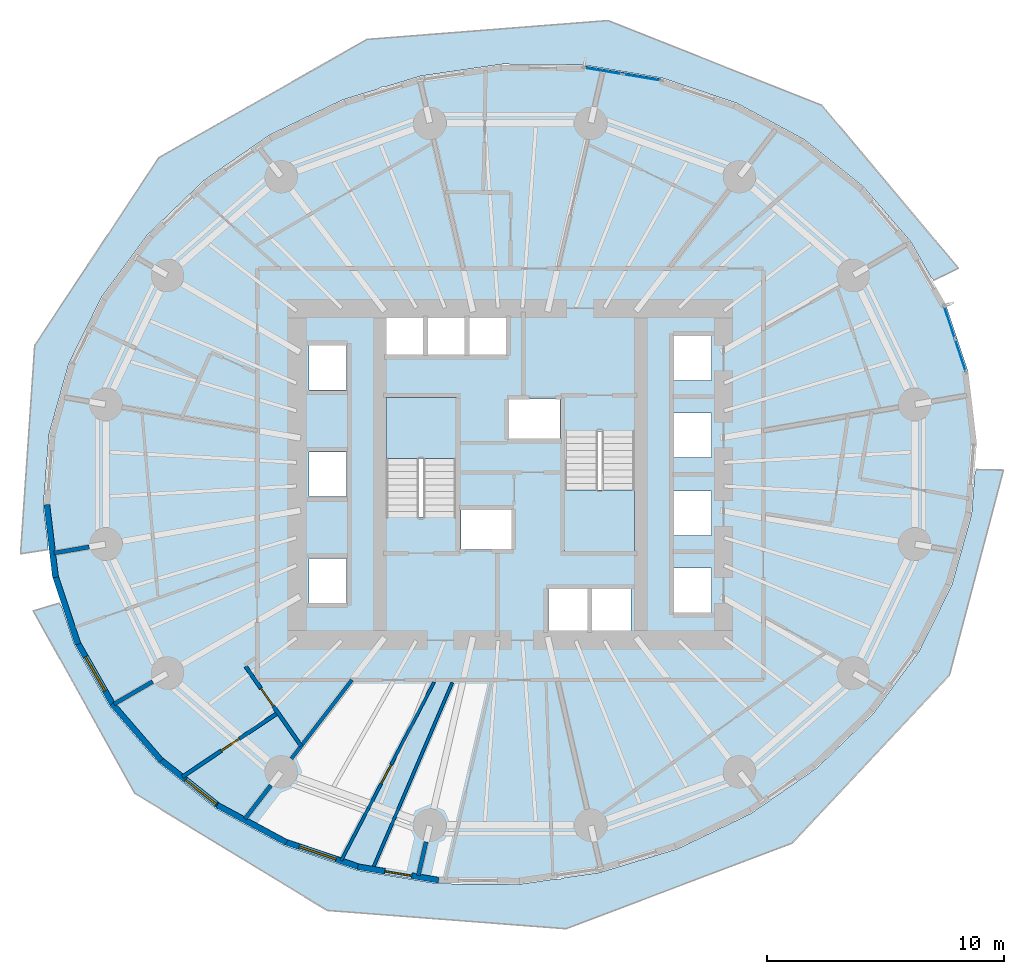
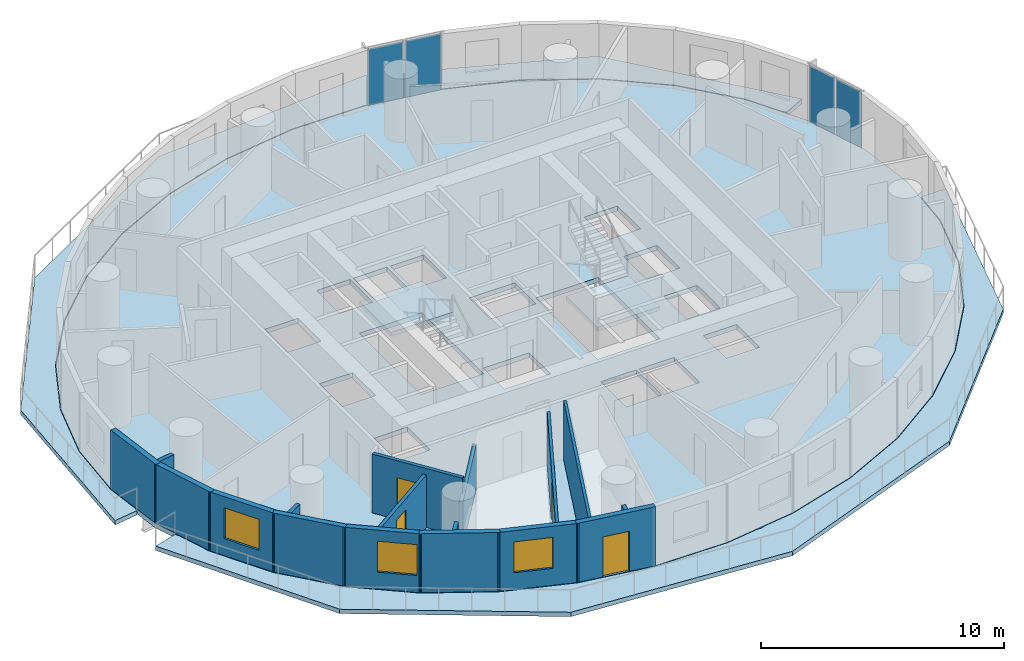
# One storey, part 4 of 13: 17 walls, 5 slabs, 4 doors, 4 plates, 3 windows, 7 openings, 4 elements without a shape of their own.
"""IFC4 building model written with IfcOpenShell, lengths in metres."""

from ifc_helpers import new_model, si_unit, direction, frame, frame_2d, origin, origin_2d, place, context, subcontext, project, spatial, polyline, rectangle, outline, extrude, material, layer, layer_set, type_object, element, fill, aggregate, save


model = new_model("IFC4")

# Units and contexts
model_context = context("Model", 3, precision=1e-05, world=origin(), true_north=direction((0.0, 1.0)))
body_context = subcontext(model_context, "Body", "Model", "MODEL_VIEW")
ifc_project = project(units=[si_unit("LENGTHUNIT", "METRE"), si_unit("AREAUNIT", "SQUARE_METRE"), si_unit("VOLUMEUNIT", "CUBIC_METRE"), si_unit("PLANEANGLEUNIT", "RADIAN"), si_unit("MASSUNIT", "GRAM", prefix="KILO")], contexts=[model_context])

# Site, building, storey
site_placement = place(None, origin())
site = spatial("IfcSite", under=ifc_project, at=site_placement, CompositionType="ELEMENT")
building_placement = place(site_placement, origin())
building = spatial("IfcBuilding", under=site, at=building_placement, Name="Veldorim Arch Residences", CompositionType="ELEMENT")
storey_placement = place(building_placement, frame((0.0, 0.0, 56.800048828125)))
storey = spatial("IfcBuildingStorey", under=building, at=storey_placement, Name="L16", CompositionType="ELEMENT", Elevation=56.800048828125)

# Slabs
ifc_material_1 = material(Name="Concrete C40/50", Category="concrete")
ifc_layer_1 = layer(ifc_material_1, 0.219970703125, Name="Planted Crescent Cantilever Balcony Slab 220")
ifc_layer_set_1 = layer_set([ifc_layer_1], Name="Concrete C40/50")
slab_type_1 = type_object("IfcSlabType", Name="Planted Crescent Cantilever Balcony Slab 220", PredefinedType="FLOOR", material=ifc_layer_set_1)
slab_1_placement = place(storey_placement, frame((0.0, 0.0, -0.219970703125)))
element("IfcSlab", 1, at=slab_1_placement, inside=storey, type_object=slab_type_1, Name="L16 planted crescent balcony slab A", PredefinedType="FLOOR", context=body_context, shape_type="SweptSolid", body=[
    extrude(outline(polyline([(49.7431640625, 32.329833984375), (48.89501953125, 33.814208984375), (46.875732421875, 36.151611328125), (44.404296875, 38.119384765625), (41.556396484375, 39.657958984375), (38.418212890625, 40.720703125), (35.085205078125, 41.275634765625), (31.65869140625, 41.305908203125), (28.242431640625, 40.810302734375), (26.789794921875, 40.36767578125), (26.593017578125, 40.349853515625), (26.42041015625, 40.2548828125), (24.9404296875, 39.80419921875), (21.852783203125, 38.31787109375), (19.072998046875, 36.396728515625), (16.686279296875, 34.098876953125), (14.764404296875, 31.494140625), (13.3662109375, 28.661376953125), (12.5341796875, 25.686767578125), (12.293701171875, 22.66064453125), (12.4921875, 21.0087890625), (12.46826171875, 20.820068359375), (11.33154296875, 20.645263671875), (11.930908203125, 29.437744140625), (17.17138671875, 37.364013671875), (25.95947265625, 42.35205078125), (36.12548828125, 43.146728515625), (45.149169921875, 39.56640625), (50.9052734375, 32.700927734375), (49.875, 32.190185546875), (49.7431640625, 32.329833984375)])), origin(), (0.0, 0.0, 1.0), 0.219970703125),
])
slab_2_placement = place(storey_placement, frame((0.0, 0.0, -0.219970703125)))
element("IfcSlab", 2, at=slab_2_placement, inside=storey, type_object=slab_type_1, Name="L16 planted crescent balcony slab B", PredefinedType="FLOOR", context=body_context, shape_type="SweptSolid", body=[
    extrude(outline(polyline([(13.0751953125, 18.400390625), (13.59912109375, 16.8212890625), (15.10498046875, 14.185791015625), (17.124267578125, 11.848388671875), (19.595703125, 9.880615234375), (22.443603515625, 8.342041015625), (25.581787109375, 7.279296875), (28.914794921875, 6.724365234375), (32.34130859375, 6.694091796875), (33.872314453125, 6.916259765625), (34.06884765625, 6.90380859375), (34.254638671875, 6.9716796875), (35.757568359375, 7.189697265625), (39.0595703125, 8.19580078125), (42.147216796875, 9.68212890625), (44.927001953125, 11.603271484375), (47.313720703125, 13.901123046875), (49.235595703125, 16.505859375), (50.6337890625, 19.338623046875), (51.4658203125, 22.313232421875), (51.601318359375, 24.017578125), (51.660888671875, 24.199951171875), (52.810791015625, 24.176513671875), (50.525390625, 15.513671875), (43.88525390625, 8.43212890625), (34.348388671875, 4.822509765625), (24.272705078125, 5.59423828125), (16.15625, 10.53466796875), (11.8701171875, 18.2353515625), (12.97314453125, 18.56103515625), (13.0751953125, 18.400390625)])), origin(), (0.0, 0.0, 1.0), 0.219970703125),
])

# Stair, slab
ifc_material_2 = material(Name="Concrete C40/50", Category="concrete")
stair_type = type_object("IfcStairType", Name="Reinforced Concrete Dogleg Exit Staircase", PredefinedType="HALF_TURN_STAIR", material=ifc_material_2)
stair_1_placement = place(storey_placement, origin())
stair_1 = element("IfcStair", 3, at=stair_1_placement, inside=storey, type_object=stair_type, Name="L16 Exit Staircase ST-1", PredefinedType="HALF_TURN_STAIR")
ifc_material_3 = material(Name="Concrete C40/50", Category="concrete")
ifc_layer_2 = layer(ifc_material_3, 0.199951171875, Name="Reinforced Concrete Stair Landing 200")
ifc_layer_set_2 = layer_set([ifc_layer_2], Name="Concrete C40/50")
slab_type_2 = type_object("IfcSlabType", Name="Reinforced Concrete Stair Landing 200", PredefinedType="LANDING", material=ifc_layer_set_2)
slab_3_placement = place(storey_placement, frame((0.0, 0.0, 1.39990234375)))
slab_3 = element("IfcSlab", 4, at=slab_3_placement, type_object=slab_type_2, Name="ST-1 landing 1", PredefinedType="LANDING", context=body_context, shape_type="SweptSolid", body=[
    extrude(outline(polyline([(29.7099609375, 24.669921875), (29.7099609375, 27.25), (26.75, 27.25), (26.75, 24.669921875), (29.7099609375, 24.669921875)])), origin(), (0.0, 0.0, 1.0), 0.199951171875),
])
aggregate(stair_1, [slab_3])

stair_2_placement = place(storey_placement, origin())
stair_2 = element("IfcStair", 5, at=stair_2_placement, inside=storey, type_object=stair_type, Name="L16 Exit Staircase ST-2", PredefinedType="HALF_TURN_STAIR")
slab_4_placement = place(storey_placement, frame((0.0, 0.0, 1.39990234375)))
slab_4 = element("IfcSlab", 6, at=slab_4_placement, type_object=slab_type_2, Name="ST-2 landing 1", PredefinedType="LANDING", context=body_context, shape_type="SweptSolid", body=[
    extrude(outline(polyline([(34.2900390625, 23.330078125), (34.2900390625, 20.75), (37.25, 20.75), (37.25, 23.330078125), (34.2900390625, 23.330078125)])), origin(), (0.0, 0.0, 1.0), 0.199951171875),
])
aggregate(stair_2, [slab_4])

# Slab
ifc_material_4 = material(Name="Concrete C40/50", Category="concrete")
ifc_layer_3 = layer(ifc_material_4, 0.239990234375, Name="Typical Residential Floor Slab 240")
ifc_layer_set_3 = layer_set([ifc_layer_3], Name="Concrete C40/50")
slab_type_3 = type_object("IfcSlabType", Name="Typical Residential Floor Slab 240", PredefinedType="FLOOR", material=ifc_layer_set_3)
slab_5_placement = place(storey_placement, frame((0.0, 0.0, -0.239990234375)))
element("IfcSlab", 7, at=slab_5_placement, inside=storey, type_object=slab_type_3, Name="L16 tower structural floor slab", PredefinedType="FLOOR", context=body_context, shape_type="SweptSolid", body=[
    extrude(outline(polyline([(51.3232421875, 28.319091796875), (50.378173828125, 31.16845703125), (48.87451171875, 33.7998046875), (46.8583984375, 36.133544921875), (44.390625, 38.098388671875), (41.54638671875, 39.635009765625), (38.412109375, 40.696533203125), (35.0830078125, 41.250732421875), (31.660400390625, 41.28076171875), (28.247802734375, 40.785888671875), (24.949462890625, 39.78076171875), (21.865234375, 38.296142578125), (19.089111328125, 36.377197265625), (16.705078125, 34.082275390625), (14.785888671875, 31.48095703125), (13.3896484375, 28.65234375), (12.558837890625, 25.682373046875), (12.31884765625, 22.6611328125), (12.6767578125, 19.680908203125), (13.621826171875, 16.83154296875), (15.12548828125, 14.2001953125), (17.1416015625, 11.866455078125), (19.609375, 9.901611328125), (22.45361328125, 8.364990234375), (25.587890625, 7.303466796875), (28.9169921875, 6.749267578125), (32.339599609375, 6.71923828125), (35.752197265625, 7.214111328125), (39.050537109375, 8.21923828125), (42.134765625, 9.703857421875), (44.910888671875, 11.622802734375), (47.294921875, 13.917724609375), (49.214111328125, 16.51904296875), (50.6103515625, 19.34765625), (51.441162109375, 22.317626953125), (51.68115234375, 25.3388671875), (51.3232421875, 28.319091796875)]), holes=[polyline([(23.510009765625, 20.43994140625), (25.090087890625, 20.43994140625), (25.090087890625, 18.56005859375), (23.510009765625, 18.56005859375), (23.510009765625, 20.43994140625)]), polyline([(29.909912109375, 22.544921875), (32.090087890625, 22.544921875), (32.090087890625, 20.81494140625), (29.909912109375, 20.81494140625), (29.909912109375, 22.544921875)]), polyline([(23.510009765625, 24.93994140625), (25.090087890625, 24.93994140625), (25.090087890625, 23.06005859375), (23.510009765625, 23.06005859375), (23.510009765625, 24.93994140625)]), polyline([(26.75, 27.25), (29.7099609375, 27.25), (29.7099609375, 22.195068359375), (26.75, 22.195068359375), (26.75, 27.25)]), polyline([(23.510009765625, 29.43994140625), (25.090087890625, 29.43994140625), (25.090087890625, 27.56005859375), (23.510009765625, 27.56005859375), (23.510009765625, 29.43994140625)]), polyline([(26.760009765625, 30.7900390625), (28.340087890625, 30.7900390625), (28.340087890625, 28.909912109375), (26.760009765625, 28.909912109375), (26.760009765625, 30.7900390625)]), polyline([(28.510009765625, 30.7900390625), (30.090087890625, 30.7900390625), (30.090087890625, 28.909912109375), (28.510009765625, 28.909912109375), (28.510009765625, 30.7900390625)]), polyline([(30.260009765625, 30.7900390625), (31.840087890625, 30.7900390625), (31.840087890625, 28.909912109375), (30.260009765625, 28.909912109375), (30.260009765625, 30.7900390625)]), polyline([(33.610107421875, 19.2900390625), (35.2900390625, 19.2900390625), (35.2900390625, 17.2099609375), (33.610107421875, 17.2099609375), (33.610107421875, 19.2900390625)]), polyline([(35.409912109375, 19.2900390625), (37.090087890625, 19.2900390625), (37.090087890625, 17.2099609375), (35.409912109375, 17.2099609375), (35.409912109375, 19.2900390625)]), polyline([(38.909912109375, 20.0400390625), (40.489990234375, 20.0400390625), (40.489990234375, 18.159912109375), (38.909912109375, 18.159912109375), (38.909912109375, 20.0400390625)]), polyline([(38.909912109375, 23.2900390625), (40.489990234375, 23.2900390625), (40.489990234375, 21.409912109375), (38.909912109375, 21.409912109375), (38.909912109375, 23.2900390625)]), polyline([(34.2900390625, 25.804931640625), (37.25, 25.804931640625), (37.25, 20.75), (34.2900390625, 20.75), (34.2900390625, 25.804931640625)]), polyline([(38.909912109375, 26.590087890625), (40.489990234375, 26.590087890625), (40.489990234375, 24.7099609375), (38.909912109375, 24.7099609375), (38.909912109375, 26.590087890625)]), polyline([(31.909912109375, 27.18505859375), (34.090087890625, 27.18505859375), (34.090087890625, 25.455078125), (31.909912109375, 25.455078125), (31.909912109375, 27.18505859375)]), polyline([(38.909912109375, 29.840087890625), (40.489990234375, 29.840087890625), (40.489990234375, 27.9599609375), (38.909912109375, 27.9599609375), (38.909912109375, 29.840087890625)])]), origin(), (0.0, 0.0, 1.0), 0.239990234375),
])

# Curtain wall, plates
ifc_material_5 = material(Name="Aluminium", Category="aluminium")
curtain_wall_type = type_object("IfcCurtainWallType", Name="Zone 1 Acoustic Low-E Unitised Curtain Wall", PredefinedType="NOTDEFINED", material=ifc_material_5)
curtain_wall_1_placement = place(storey_placement, origin())
curtain_wall_1 = element("IfcCurtainWall", 8, at=curtain_wall_1_placement, inside=storey, type_object=curtain_wall_type, Name="L16 unitised curtain wall bay 01", PredefinedType="NOTDEFINED")
ifc_material_6 = material(Name="Laminated Low-E Glass", Category="glass")
ifc_layer_4 = layer(ifc_material_6, 0.02587890625, Name="Zone 1 Acoustic Low-E Unitised Curtain Wall Glazing Panel 26")
ifc_layer_set_4 = layer_set([ifc_layer_4], Name="Laminated Low-E Glass")
plate_type = type_object("IfcPlateType", Name="Zone 1 Acoustic Low-E Unitised Curtain Wall Glazing Panel 26", PredefinedType="CURTAIN_PANEL", material=ifc_layer_set_4)
plate_1_placement = place(storey_placement, frame((50.5341796875, 30.412353515625, 0.06494140625), z_axis=(0.0, 0.0, 1.0), x_axis=(0.314838287583, -0.949145327477, 0.0)))
plate_1 = element("IfcPlate", 9, at=plate_1_placement, type_object=plate_type, Name="CW-Z1 panel 1.1", PredefinedType="CURTAIN_PANEL", context=body_context, shape_type="SweptSolid", body=[
    extrude(rectangle(XDim=1.4033203125, YDim=0.02587890625, at=origin_2d()), origin(), (0.0, 0.0, 1.0), 2.830078125),
])
plate_2_placement = place(storey_placement, frame((50.996337890625, 29.0185546875, 0.06494140625), z_axis=(0.0, 0.0, 1.0), x_axis=(0.314838287583, -0.949145327477, 0.0)))
plate_2 = element("IfcPlate", 10, at=plate_2_placement, type_object=plate_type, Name="CW-Z1 panel 2.1", PredefinedType="CURTAIN_PANEL", context=body_context, shape_type="SweptSolid", body=[
    extrude(rectangle(XDim=1.4033203125, YDim=0.02587890625, at=origin_2d()), origin(), (0.0, 0.0, 1.0), 2.830078125),
])
aggregate(curtain_wall_1, [plate_1, plate_2])

curtain_wall_2_placement = place(storey_placement, origin())
curtain_wall_2 = element("IfcCurtainWall", 11, at=curtain_wall_2_placement, inside=storey, type_object=curtain_wall_type, Name="L16 unitised curtain wall bay 07", PredefinedType="NOTDEFINED")
plate_3_placement = place(storey_placement, frame((35.91650390625, 41.020751953125, 0.06494140625), z_axis=(0.0, 0.0, 1.0), x_axis=(0.98642513806, -0.164211592169, 0.0)))
plate_3 = element("IfcPlate", 12, at=plate_3_placement, type_object=plate_type, Name="CW-Z1 panel 1.1", PredefinedType="CURTAIN_PANEL", context=body_context, shape_type="SweptSolid", body=[
    extrude(rectangle(XDim=1.58984375, YDim=0.02587890625, at=origin_2d()), origin(), (0.0, 0.0, 1.0), 2.830078125),
])
plate_4_placement = place(storey_placement, frame((37.549072265625, 40.7490234375, 0.06494140625), z_axis=(0.0, 0.0, 1.0), x_axis=(0.98642513806, -0.164211592169, 0.0)))
plate_4 = element("IfcPlate", 13, at=plate_4_placement, type_object=plate_type, Name="CW-Z1 panel 2.1", PredefinedType="CURTAIN_PANEL", context=body_context, shape_type="SweptSolid", body=[
    extrude(rectangle(XDim=1.58984375, YDim=0.02587890625, at=origin_2d()), origin(), (0.0, 0.0, 1.0), 2.830078125),
])
aggregate(curtain_wall_2, [plate_3, plate_4])

# Wall, opening, door
ifc_material_7 = material(Name="Acoustic Gypsum Board", Category="gypsum")
ifc_layer_5 = layer(ifc_material_7, 0.125, Name="Acoustic Stud Room Partition Wall 125")
ifc_layer_set_5 = layer_set([ifc_layer_5], Name="Acoustic Gypsum Board")
wall_type_1 = type_object("IfcWallType", Name="Acoustic Stud Room Partition Wall 125", PredefinedType="PARTITIONING", material=ifc_layer_set_5)
wall_1_placement = place(storey_placement, frame((28.7861328125, 15.231201171875, 0.0), z_axis=(0.0, 0.0, 1.0), x_axis=(-0.461913695099, -0.886924877473, 0.0)))
wall_1 = element("IfcWall", 14, at=wall_1_placement, inside=storey, type_object=wall_type_1, Name="L16 interior wall WL-RES-L16-012", PredefinedType="PARTITIONING", context=body_context, shape_type="SweptSolid", body=[
    extrude(rectangle(XDim=8.49462890625, YDim=0.125, at=frame_2d((4.247314453125, 0.0))), origin(), (0.0, 0.0, 1.0), 2.641357421875),
])
opening_1_placement = place(wall_1_placement, frame((3.9375, 0.0, 0.0)))
opening_1 = element("IfcOpeningElement", 15, at=opening_1_placement, cuts=wall_1, Name="Opening DR-INT", PredefinedType="OPENING", context=body_context, shape_type="SweptSolid", body=[
    extrude(rectangle(XDim=0.89990234375, YDim=2.10009765625, at=frame_2d((0.449951171875, 1.050048828125))), frame((0.0, 0.072509765625, 0.0), z_axis=(0.0, -1.0, 0.0), x_axis=(1.0, 0.0, 0.0)), (0.0, 0.0, 1.0), 0.14501953125),
])
ifc_material_8 = material(Name="Engineered Timber", Category="wood")
door_type_1 = type_object("IfcDoorType", Name="Apartment Internal Room Timber Door 900x2100", OperationType="SINGLE_SWING_LEFT", PredefinedType="DOOR", material=ifc_material_8)
door_1_placement = place(opening_1_placement, origin())
door_1 = element("IfcDoor", 16, at=door_1_placement, inside=storey, type_object=door_type_1, Name="L16 interior door DR-RES-L16-005", OperationType="SINGLE_SWING_LEFT", OverallHeight=2.10009765625, OverallWidth=0.89990234375, PredefinedType="DOOR", context=body_context, shape_type="SweptSolid", body=[
    extrude(rectangle(XDim=0.89990234375, YDim=2.10009765625, at=frame_2d((0.449951171875, 1.050048828125))), frame((0.0, 0.02490234375, 0.0), z_axis=(0.0, -1.0, 0.0), x_axis=(1.0, 0.0, 0.0)), (0.0, 0.0, 1.0), 0.050048828125),
])
fill(opening_1, door_1)

# Walls
wall_2_placement = place(storey_placement, frame((26.19287109375, 7.3447265625, 0.0), z_axis=(0.0, 0.0, 1.0), x_axis=(0.392702721524, 0.919665467715, 0.0)))
element("IfcWall", 17, at=wall_2_placement, inside=storey, type_object=wall_type_1, Name="L16 interior wall WL-RES-L16-015", PredefinedType="PARTITIONING", context=body_context, shape_type="SweptSolid", body=[
    extrude(rectangle(XDim=8.552001953125, YDim=0.125, at=frame_2d((4.27587890625, 0.0))), origin(), (0.0, 0.0, 1.0), 2.954833984375),
])
ifc_material_9 = material(Name="Lightweight Masonry Block & Gypsum", Category="masonry")
ifc_layer_6 = layer(ifc_material_9, 0.179931640625, Name="Compartment & Corridor Fire-Rated Party Wall 180")
ifc_layer_set_6 = layer_set([ifc_layer_6], Name="Lightweight Masonry Block & Gypsum")
wall_type_2 = type_object("IfcWallType", Name="Compartment & Corridor Fire-Rated Party Wall 180", PredefinedType="PARTITIONING", material=ifc_layer_set_6)
wall_3_placement = place(storey_placement, frame((14.224853515625, 20.931640625, 0.0), z_axis=(0.0, 0.0, 1.0), x_axis=(-0.985418960314, -0.170145445587, 0.0)))
element("IfcWall", 18, at=wall_3_placement, inside=storey, type_object=wall_type_2, Name="L16 interior wall WL-PIER-L16-09", PredefinedType="PARTITIONING", context=body_context, shape_type="SweptSolid", body=[
    extrude(rectangle(XDim=1.508056640625, YDim=0.179931640625, at=frame_2d((0.75390625, 0.0))), origin(), (0.0, 0.0, 1.0), 2.17822265625),
])
wall_4_placement = place(storey_placement, frame((16.909423828125, 15.249755859375, 0.0), z_axis=(0.0, 0.0, 1.0), x_axis=(-0.865027823723, -0.501723892379, 0.0)))
element("IfcWall", 19, at=wall_4_placement, inside=storey, type_object=wall_type_2, Name="L16 interior wall WL-PIER-L16-10", PredefinedType="PARTITIONING", context=body_context, shape_type="SweptSolid", body=[
    extrude(rectangle(XDim=1.888916015625, YDim=0.179931640625, at=frame_2d((0.9443359375, 0.0))), origin(), (0.0, 0.0, 1.0), 2.17822265625),
])
wall_5_placement = place(storey_placement, frame((21.893798828125, 10.874267578125, 0.0), z_axis=(0.0, 0.0, 1.0), x_axis=(-0.61002145357, -0.792384897752, 0.0)))
element("IfcWall", 20, at=wall_5_placement, inside=storey, type_object=wall_type_2, Name="L16 interior wall WL-PIER-L16-11", PredefinedType="PARTITIONING", context=body_context, shape_type="SweptSolid", body=[
    extrude(rectangle(XDim=1.78466796875, YDim=0.179931640625, at=frame_2d((0.892333984375, 0.0))), origin(), (0.0, 0.0, 1.0), 2.17822265625),
])
wall_6_placement = place(storey_placement, frame((28.444580078125, 8.48828125, 0.0), z_axis=(0.0, 0.0, 1.0), x_axis=(-0.223491959946, -0.974705772959, 0.0)))
element("IfcWall", 21, at=wall_6_placement, inside=storey, type_object=wall_type_2, Name="L16 interior wall WL-PIER-L16-12", PredefinedType="PARTITIONING", context=body_context, shape_type="SweptSolid", body=[
    extrude(rectangle(XDim=1.46044921875, YDim=0.179931640625, at=frame_2d((0.730224609375, 0.0))), origin(), (0.0, 0.0, 1.0), 2.17822265625),
])
ifc_material_10 = material(Name="Precast concrete C40/50", Category="concrete")
ifc_layer_7 = layer(ifc_material_10, 0.25, Name="Tower Terracotta Spandrel & Pier Wall 250")
ifc_layer_set_7 = layer_set([ifc_layer_7], Name="Precast concrete C40/50")
wall_type_3 = type_object("IfcWallType", Name="Tower Terracotta Spandrel & Pier Wall 250", PredefinedType="SOLIDWALL", material=ifc_layer_set_7)
wall_7_placement = place(storey_placement, frame((12.806396484375, 19.65087890625, 0.0), z_axis=(0.0, 0.0, 1.0), x_axis=(-0.119310240224, 0.992857022223, 0.0)))
element("IfcWall", 22, at=wall_7_placement, inside=storey, type_object=wall_type_3, Name="L16 terracotta facade wall 18", PredefinedType="SOLIDWALL", context=body_context, shape_type="SweptSolid", body=[
    extrude(rectangle(XDim=3.091796875, YDim=0.25, at=frame_2d((1.5458984375, 0.0))), origin(), (0.0, 0.0, 1.0), 2.9599609375),
])
wall_8_placement = place(storey_placement, frame((13.754638671875, 16.828125, 0.0), z_axis=(0.0, 0.0, 1.0), x_axis=(-0.314806164357, 0.949155982377, 0.0)))
element("IfcWall", 23, at=wall_8_placement, inside=storey, type_object=wall_type_3, Name="L16 terracotta facade wall 19", PredefinedType="SOLIDWALL", context=body_context, shape_type="SweptSolid", body=[
    extrude(rectangle(XDim=3.092041015625, YDim=0.25, at=frame_2d((1.5458984375, 0.0))), origin(), (0.0, 0.0, 1.0), 2.9599609375),
])

# Wall, opening, window
wall_9_placement = place(storey_placement, frame((15.25634765625, 14.22314453125, 0.0), z_axis=(0.0, 0.0, 1.0), x_axis=(-0.496155788519, 0.868233513243, 0.0)))
wall_9 = element("IfcWall", 24, at=wall_9_placement, inside=storey, type_object=wall_type_3, Name="L16 terracotta facade wall 20", PredefinedType="SOLIDWALL", context=body_context, shape_type="SweptSolid", body=[
    extrude(rectangle(XDim=3.12060546875, YDim=0.25, at=frame_2d((1.560302734375, 0.0))), origin(), (0.0, 0.0, 1.0), 2.9599609375),
])
opening_2_placement = place(wall_9_placement, frame((0.735107421875, 0.0, 0.85009765625)))
opening_2 = element("IfcOpeningElement", 25, at=opening_2_placement, cuts=wall_9, Name="Opening WN-03", PredefinedType="OPENING", context=body_context, shape_type="SweptSolid", body=[
    extrude(rectangle(XDim=1.64990234375, YDim=1.550048828125, at=frame_2d((0.824951171875, 0.77490234375))), frame((0.0, 0.135009765625, 0.0), z_axis=(0.0, -1.0, 0.0), x_axis=(1.0, 0.0, 0.0)), (0.0, 0.0, 1.0), 0.27001953125),
])
ifc_material_11 = material(Name="Laminated Low-E Glass", Category="glass")
window_type = type_object("IfcWindowType", Name="Residential Wide Window 1650x1550", PartitioningType="SINGLE_PANEL", PredefinedType="WINDOW", material=ifc_material_11)
window_1_placement = place(opening_2_placement, origin())
window_1 = element("IfcWindow", 26, at=window_1_placement, inside=storey, type_object=window_type, Name="L16 solar-control facade window 20", OverallHeight=1.550048828125, OverallWidth=1.64990234375, PartitioningType="SINGLE_PANEL", PredefinedType="WINDOW", context=body_context, shape_type="SweptSolid", body=[
    extrude(rectangle(XDim=1.64990234375, YDim=1.550048828125, at=frame_2d((0.824951171875, 0.77490234375))), frame((0.0, 0.030029296875, 0.0), z_axis=(0.0, -1.0, 0.0), x_axis=(1.0, 0.0, 0.0)), (0.0, 0.0, 1.0), 0.06005859375),
])
fill(opening_2, window_1)

# Wall
wall_10_placement = place(storey_placement, frame((17.265625, 11.914306640625, 0.0), z_axis=(0.0, 0.0, 1.0), x_axis=(-0.653770062489, 0.75669327035, 0.0)))
element("IfcWall", 27, at=wall_10_placement, inside=storey, type_object=wall_type_3, Name="L16 terracotta facade wall 21", PredefinedType="SOLIDWALL", context=body_context, shape_type="SweptSolid", body=[
    extrude(rectangle(XDim=3.173828125, YDim=0.25, at=frame_2d((1.5869140625, 0.0))), origin(), (0.0, 0.0, 1.0), 2.9599609375),
])

# Wall, opening, window
wall_11_placement = place(storey_placement, frame((19.722412109375, 9.971435546875, 0.0), z_axis=(0.0, 0.0, 1.0), x_axis=(-0.78232767864, 0.622867083119, 0.0)))
wall_11 = element("IfcWall", 28, at=wall_11_placement, inside=storey, type_object=wall_type_3, Name="L16 terracotta facade wall 22", PredefinedType="SOLIDWALL", context=body_context, shape_type="SweptSolid", body=[
    extrude(rectangle(XDim=3.244384765625, YDim=0.25, at=frame_2d((1.6220703125, 0.0))), origin(), (0.0, 0.0, 1.0), 2.9599609375),
])
opening_3_placement = place(wall_11_placement, frame((0.175048828125, 0.0, 0.85009765625)))
opening_3 = element("IfcOpeningElement", 29, at=opening_3_placement, cuts=wall_11, Name="Opening WN-03", PredefinedType="OPENING", context=body_context, shape_type="SweptSolid", body=[
    extrude(rectangle(XDim=1.64990234375, YDim=1.550048828125, at=frame_2d((0.824951171875, 0.77490234375))), frame((0.0, 0.135009765625, 0.0), z_axis=(0.0, -1.0, 0.0), x_axis=(1.0, 0.0, 0.0)), (0.0, 0.0, 1.0), 0.27001953125),
])
window_2_placement = place(opening_3_placement, origin())
window_2 = element("IfcWindow", 30, at=window_2_placement, inside=storey, type_object=window_type, Name="L16 solar-control facade window 22", OverallHeight=1.550048828125, OverallWidth=1.64990234375, PartitioningType="SINGLE_PANEL", PredefinedType="WINDOW", context=body_context, shape_type="SweptSolid", body=[
    extrude(rectangle(XDim=1.64990234375, YDim=1.550048828125, at=frame_2d((0.824951171875, 0.77490234375))), frame((0.0, 0.030029296875, 0.0), z_axis=(0.0, -1.0, 0.0), x_axis=(1.0, 0.0, 0.0)), (0.0, 0.0, 1.0), 0.06005859375),
])
fill(opening_3, window_2)

# Wall
wall_12_placement = place(storey_placement, frame((22.552490234375, 8.45361328125, 0.0), z_axis=(0.0, 0.0, 1.0), x_axis=(-0.879811992908, 0.475321845843, 0.0)))
element("IfcWall", 31, at=wall_12_placement, inside=storey, type_object=wall_type_3, Name="L16 terracotta facade wall 23", PredefinedType="SOLIDWALL", context=body_context, shape_type="SweptSolid", body=[
    extrude(rectangle(XDim=3.32275390625, YDim=0.25, at=frame_2d((1.661376953125, 0.0))), origin(), (0.0, 0.0, 1.0), 2.9599609375),
])

# Wall, opening, window
wall_13_placement = place(storey_placement, frame((25.67041015625, 7.407470703125, 0.0), z_axis=(0.0, 0.0, 1.0), x_axis=(-0.947149503871, 0.320792483262, 0.0)))
wall_13 = element("IfcWall", 32, at=wall_13_placement, inside=storey, type_object=wall_type_3, Name="L16 terracotta facade wall 24", PredefinedType="SOLIDWALL", context=body_context, shape_type="SweptSolid", body=[
    extrude(rectangle(XDim=3.39892578125, YDim=0.25, at=frame_2d((1.699462890625, 0.0))), origin(), (0.0, 0.0, 1.0), 2.9599609375),
])
opening_4_placement = place(wall_13_placement, frame((1.073974609375, 0.0, 0.85009765625)))
opening_4 = element("IfcOpeningElement", 33, at=opening_4_placement, cuts=wall_13, Name="Opening WN-03", PredefinedType="OPENING", context=body_context, shape_type="SweptSolid", body=[
    extrude(rectangle(XDim=1.64990234375, YDim=1.550048828125, at=frame_2d((0.824951171875, 0.77490234375))), frame((0.0, 0.135009765625, 0.0), z_axis=(0.0, -1.0, 0.0), x_axis=(1.0, 0.0, 0.0)), (0.0, 0.0, 1.0), 0.27001953125),
])
window_3_placement = place(opening_4_placement, origin())
window_3 = element("IfcWindow", 34, at=window_3_placement, inside=storey, type_object=window_type, Name="L16 solar-control facade window 24", OverallHeight=1.550048828125, OverallWidth=1.64990234375, PartitioningType="SINGLE_PANEL", PredefinedType="WINDOW", context=body_context, shape_type="SweptSolid", body=[
    extrude(rectangle(XDim=1.64990234375, YDim=1.550048828125, at=frame_2d((0.824951171875, 0.77490234375))), frame((0.0, 0.030029296875, 0.0), z_axis=(0.0, -1.0, 0.0), x_axis=(1.0, 0.0, 0.0)), (0.0, 0.0, 1.0), 0.06005859375),
])
fill(opening_4, window_3)

# Wall, opening, door
wall_14_placement = place(storey_placement, frame((28.981689453125, 6.865234375, 0.0), z_axis=(0.0, 0.0, 1.0), x_axis=(-0.986430084323, 0.164181877025, 0.0)))
wall_14 = element("IfcWall", 35, at=wall_14_placement, inside=storey, type_object=wall_type_3, Name="L16 terracotta facade wall 25", PredefinedType="SOLIDWALL", context=body_context, shape_type="SweptSolid", body=[
    extrude(rectangle(XDim=3.46484375, YDim=0.25, at=frame_2d((1.732421875, 0.0))), origin(), (0.0, 0.0, 1.0), 2.9599609375),
])
opening_5_placement = place(wall_14_placement, frame((1.156982421875, 0.0, 0.0)))
opening_5 = element("IfcOpeningElement", 36, at=opening_5_placement, cuts=wall_14, Name="Opening BL-DR2", PredefinedType="OPENING", context=body_context, shape_type="SweptSolid", body=[
    extrude(rectangle(XDim=1.14990234375, YDim=2.010009765625, at=frame_2d((0.574951171875, 1.0048828125))), frame((0.0, 0.135009765625, 0.0), z_axis=(0.0, -1.0, 0.0), x_axis=(1.0, 0.0, 0.0)), (0.0, 0.0, 1.0), 0.27001953125),
])
ifc_material_12 = material(Name="Aluminium & Low-E Glass", Category="aluminium")
door_type_2 = type_object("IfcDoorType", Name="Glazed Planted Balcony Low-Soffit Door 1150x2010", OperationType="SINGLE_SWING_LEFT", PredefinedType="DOOR", material=ifc_material_12)
door_2_placement = place(opening_5_placement, origin())
door_2 = element("IfcDoor", 37, at=door_2_placement, inside=storey, type_object=door_type_2, Name="L16 glazed outdoor terrace door BALC-2", OperationType="SINGLE_SWING_LEFT", OverallHeight=2.010009765625, OverallWidth=1.14990234375, PredefinedType="DOOR", context=body_context, shape_type="SweptSolid", body=[
    extrude(rectangle(XDim=1.14990234375, YDim=2.010009765625, at=frame_2d((0.574951171875, 1.0048828125))), frame((0.0, 0.02490234375, 0.0), z_axis=(0.0, -1.0, 0.0), x_axis=(1.0, 0.0, 0.0)), (0.0, 0.0, 1.0), 0.050048828125),
])
fill(opening_5, door_2)

# Wall
ifc_material_13 = material(Name="Moisture-Resistant Gypsum & Stud", Category="gypsum")
ifc_layer_8 = layer(ifc_material_13, 0.159912109375, Name="Wet-Area Moisture-Resistant Plumbing Wall 160")
ifc_layer_set_8 = layer_set([ifc_layer_8], Name="Moisture-Resistant Gypsum & Stud")
wall_type_4 = type_object("IfcWallType", Name="Wet-Area Moisture-Resistant Plumbing Wall 160", PredefinedType="PLUMBINGWALL", material=ifc_layer_set_8)
wall_15_placement = place(storey_placement, frame((22.75927734375, 11.998291015625, 0.0), z_axis=(0.0, 0.0, 1.0), x_axis=(0.60996965366, 0.792424773473, 0.0)))
element("IfcWall", 38, at=wall_15_placement, inside=storey, type_object=wall_type_4, Name="L16 interior wall WL-RES-L16-013", PredefinedType="PLUMBINGWALL", context=body_context, shape_type="SweptSolid", body=[
    extrude(rectangle(XDim=4.192138671875, YDim=0.159912109375, at=frame_2d((2.09619140625, 0.0))), origin(), (0.0, 0.0, 1.0), 2.17822265625),
])

# Wall, opening, door
wall_16_placement = place(storey_placement, frame((22.1953125, 13.932861328125, 0.0), z_axis=(0.0, 0.0, 1.0), x_axis=(-0.831027380647, -0.556231509908, 0.0)))
wall_16 = element("IfcWall", 39, at=wall_16_placement, inside=storey, type_object=wall_type_4, Name="L16 interior wall WL-RES-L16-039", PredefinedType="PLUMBINGWALL", context=body_context, shape_type="SweptSolid", body=[
    extrude(rectangle(XDim=4.853515625, YDim=0.159912109375, at=frame_2d((2.4267578125, 0.0))), origin(), (0.0, 0.0, 1.0), 2.641357421875),
])
opening_6_placement = place(wall_16_placement, frame((1.976806640625, 0.0, 0.0)))
opening_6 = element("IfcOpeningElement", 40, at=opening_6_placement, cuts=wall_16, Name="Opening DR-WC", PredefinedType="OPENING", context=body_context, shape_type="SweptSolid", body=[
    extrude(rectangle(XDim=0.89990234375, YDim=2.10009765625, at=frame_2d((0.449951171875, 1.050048828125))), frame((0.0, 0.08984375, 0.0), z_axis=(0.0, -1.0, 0.0), x_axis=(1.0, 0.0, 0.0)), (0.0, 0.0, 1.0), 0.179931640625),
])
ifc_material_14 = material(Name="Laminate Timber", Category="wood")
door_type_3 = type_object("IfcDoorType", Name="Bathroom & Accessible WC Moisture-Sealed Door 900x2100", OperationType="SINGLE_SWING_LEFT", PredefinedType="DOOR", material=ifc_material_14)
door_3_placement = place(opening_6_placement, origin())
door_3 = element("IfcDoor", 41, at=door_3_placement, inside=storey, type_object=door_type_3, Name="L16 interior door DR-RES-L16-026", OperationType="SINGLE_SWING_RIGHT", OverallHeight=2.10009765625, OverallWidth=0.89990234375, PredefinedType="DOOR", context=body_context, shape_type="SweptSolid", body=[
    extrude(rectangle(XDim=0.89990234375, YDim=2.10009765625, at=frame_2d((0.449951171875, 1.050048828125))), frame((0.0, 0.02490234375, 0.0), z_axis=(0.0, -1.0, 0.0), x_axis=(1.0, 0.0, 0.0)), (0.0, 0.0, 1.0), 0.050048828125),
])
fill(opening_6, door_3)

wall_17_placement = place(storey_placement, frame((20.825439453125, 15.892578125, 0.0), z_axis=(0.0, 0.0, 1.0), x_axis=(0.572966263624, -0.819578953334, 0.0)))
wall_17 = element("IfcWall", 42, at=wall_17_placement, inside=storey, type_object=wall_type_4, Name="L16 interior wall WL-RES-L16-042", PredefinedType="PLUMBINGWALL", context=body_context, shape_type="SweptSolid", body=[
    extrude(rectangle(XDim=4.096435546875, YDim=0.159912109375, at=frame_2d((2.04833984375, 0.0))), origin(), (0.0, 0.0, 1.0), 2.954833984375),
])
opening_7_placement = place(wall_17_placement, frame((1.135498046875, 0.0, 0.0)))
opening_7 = element("IfcOpeningElement", 43, at=opening_7_placement, cuts=wall_17, Name="Opening DR-INT", PredefinedType="OPENING", context=body_context, shape_type="SweptSolid", body=[
    extrude(rectangle(XDim=0.89990234375, YDim=2.10009765625, at=frame_2d((0.449951171875, 1.050048828125))), frame((0.0, 0.08984375, 0.0), z_axis=(0.0, -1.0, 0.0), x_axis=(1.0, 0.0, 0.0)), (0.0, 0.0, 1.0), 0.179931640625),
])
door_4_placement = place(opening_7_placement, origin())
door_4 = element("IfcDoor", 44, at=door_4_placement, inside=storey, type_object=door_type_1, Name="L16 interior door DR-RES-L16-029", OperationType="SINGLE_SWING_LEFT", OverallHeight=2.10009765625, OverallWidth=0.89990234375, PredefinedType="DOOR", context=body_context, shape_type="SweptSolid", body=[
    extrude(rectangle(XDim=0.89990234375, YDim=2.10009765625, at=frame_2d((0.449951171875, 1.050048828125))), frame((0.0, 0.02490234375, 0.0), z_axis=(0.0, -1.0, 0.0), x_axis=(1.0, 0.0, 0.0)), (0.0, 0.0, 1.0), 0.050048828125),
])
fill(opening_7, door_4)

save(model, "model.ifc")
